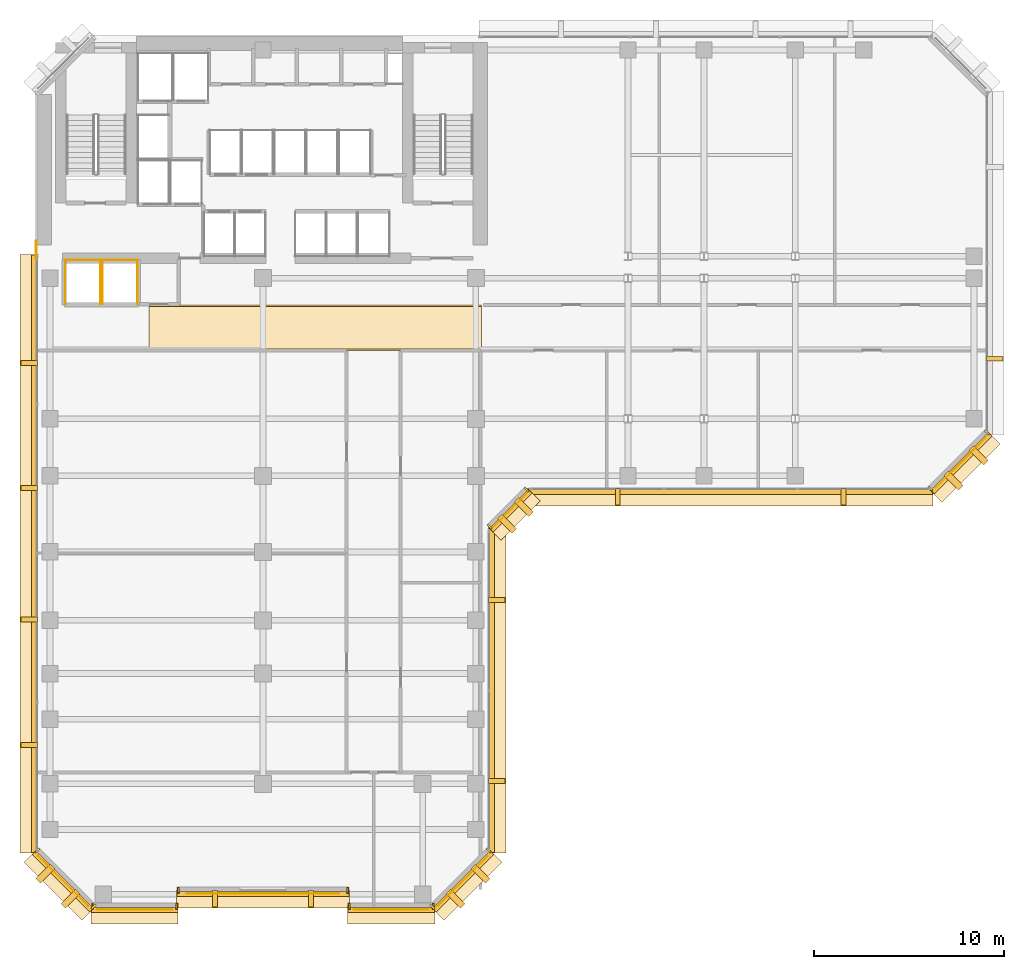
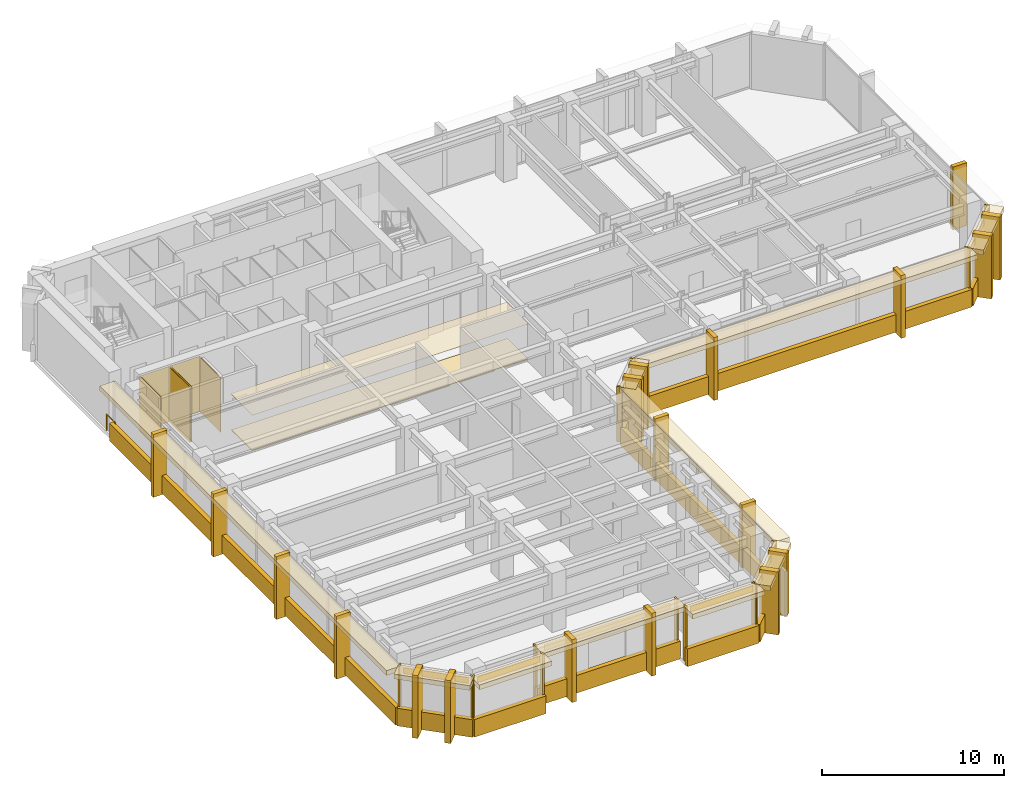
# One storey, part 9 of 12: 68 coverings, 1 railing.
"""IFC4 building model written with IfcOpenShell, lengths in metres."""

from ifc_helpers import new_model, si_unit, direction, frame, origin, origin_2d, place, context, subcontext, project, spatial, polyline, rectangle, circle, outline, extrude, material, layer, layer_set, type_object, element, save


model = new_model("IFC4")

# Units and contexts
model_context = context("Model", 3, precision=1e-05, world=origin(), true_north=direction((0.0, 1.0)))
body_context = subcontext(model_context, "Body", "Model", "MODEL_VIEW")
ifc_project = project(units=[si_unit("LENGTHUNIT", "METRE"), si_unit("AREAUNIT", "SQUARE_METRE"), si_unit("VOLUMEUNIT", "CUBIC_METRE"), si_unit("PLANEANGLEUNIT", "RADIAN"), si_unit("MASSUNIT", "GRAM", prefix="KILO")], contexts=[model_context])

# Site, building, storey
site_placement = place(None, origin())
site = spatial("IfcSite", under=ifc_project, at=site_placement, CompositionType="ELEMENT")
building_placement = place(site_placement, origin())
building = spatial("IfcBuilding", under=site, at=building_placement, Name="Kefirva Bronze Tower", CompositionType="ELEMENT")
storey_placement = place(building_placement, frame((0.0, 0.0, 118.469970703125)))
storey = spatial("IfcBuildingStorey", under=building, at=storey_placement, Name="L28", CompositionType="ELEMENT", Elevation=118.469970703125)

# Coverings
ifc_material_1 = material(Name="Acoustic mineral tile")
ifc_layer_1 = layer(ifc_material_1, 0.02490234375, Name="Acoustic mineral tile")
ifc_layer_set_1 = layer_set([ifc_layer_1], Name="Acoustic mineral tile")
covering_type_1 = type_object("IfcCoveringType", Name="Acoustic Mineral Suspended Ceiling 25mm", PredefinedType="CEILING", material=ifc_layer_set_1)
covering_1_placement = place(storey_placement, frame((0.0, 0.0, 2.400146484375)))
element("IfcCovering", 1, at=covering_1_placement, inside=storey, type_object=covering_type_1, Name="L28 Corridor Acoustic Ceiling", PredefinedType="CEILING", context=body_context, shape_type="SweptSolid", body=[
    extrude(outline(polyline([(6.0, 29.39990234375), (23.5, 29.39990234375), (23.5, 31.800048828125), (6.0, 31.800048828125), (6.0, 29.39990234375)])), origin(), (0.0, 0.0, 1.0), 0.02490234375),
])
ifc_material_2 = material(Name="Bronze anodised aluminium", Category="aluminium")
ifc_layer_2 = layer(ifc_material_2, 0.02001953125, Name="Bronze anodised aluminium")
ifc_layer_set_2 = layer_set([ifc_layer_2], Name="Bronze anodised aluminium")
covering_type_2 = type_object("IfcCoveringType", Name="Anodised Bronze Spandrel Cladding 20mm", PredefinedType="CLADDING", material=ifc_layer_set_2)
covering_2_placement = place(storey_placement, frame((5.25, -0.010009765625, 3.2900390625), z_axis=(0.0, 0.0, 1.0), x_axis=(1.0, 0.0, 0.0)))
element("IfcCovering", 2, at=covering_2_placement, inside=storey, type_object=covering_type_2, Name="L28 Bronze Spandrel Cladding 1", PredefinedType="CLADDING", context=body_context, shape_type="SweptSolid", body=[
    extrude(rectangle(XDim=3.950927734375, YDim=0.02001953125, at=origin_2d()), origin(), (0.0, 0.0, 1.0), 0.39990234375),
])
for number, where, z_axis, x_axis, name in (
    (3, (3.034912109375, 0.159912109375, 0.0), (0.0, 0.0, 1.0), (1.0, 0.0, 0.0), "L28 Facade Joint Closure Panel 1S"),
    (4, (7.465087890625, 0.159912109375, 0.0), (0.0, 0.0, 1.0), (1.0, 0.0, 0.0), "L28 Facade Joint Closure Panel 1E"),
):
    element("IfcCovering", number, at=place(storey_placement, frame(where, z_axis=z_axis, x_axis=x_axis)), inside=storey, type_object=covering_type_2, Name=name, PredefinedType="CLADDING", context=body_context, shape_type="SweptSolid", body=[
        extrude(rectangle(XDim=0.10009765625, YDim=0.320068359375, at=origin_2d()), origin(), (0.0, 0.0, 1.0), 3.7099609375),
    ])
covering_3_placement = place(storey_placement, frame((5.25, -0.0400390625, -0.16015625), z_axis=(0.0, 0.0, 1.0), x_axis=(1.0, 0.0, 0.0)))
element("IfcCovering", 5, at=covering_3_placement, inside=storey, type_object=covering_type_2, Name="L28 Streamline Horizontal Spandrel Band 0", PredefinedType="CLADDING", context=body_context, shape_type="SweptSolid", body=[
    extrude(rectangle(XDim=4.5400390625, YDim=0.280029296875, at=origin_2d()), origin(), (0.0, 0.0, 1.0), 1.179931640625),
])
covering_4_placement = place(storey_placement, frame((12.0, 0.840087890625, 3.2900390625), z_axis=(0.0, 0.0, 1.0), x_axis=(1.0, 0.0, 0.0)))
element("IfcCovering", 6, at=covering_4_placement, inside=storey, type_object=covering_type_2, Name="L28 Bronze Spandrel Cladding 2", PredefinedType="CLADDING", context=body_context, shape_type="SweptSolid", body=[
    extrude(rectangle(XDim=8.0009765625, YDim=0.02001953125, at=origin_2d()), origin(), (0.0, 0.0, 1.0), 0.39990234375),
])
for number, where, z_axis, x_axis, name in (
    (7, (7.534912109375, 1.010009765625, 0.0), (0.0, 0.0, 1.0), (1.0, 0.0, 0.0), "L28 Facade Joint Closure Panel 2S"),
    (8, (16.465087890625, 1.010009765625, 0.0), (0.0, 0.0, 1.0), (1.0, 0.0, 0.0), "L28 Facade Joint Closure Panel 2E"),
):
    element("IfcCovering", number, at=place(storey_placement, frame(where, z_axis=z_axis, x_axis=x_axis)), inside=storey, type_object=covering_type_2, Name=name, PredefinedType="CLADDING", context=body_context, shape_type="SweptSolid", body=[
        extrude(rectangle(XDim=0.10009765625, YDim=0.320068359375, at=origin_2d()), origin(), (0.0, 0.0, 1.0), 3.7099609375),
    ])
covering_5_placement = place(storey_placement, frame((12.0, 0.81005859375, -0.16015625), z_axis=(0.0, 0.0, 1.0), x_axis=(1.0, 0.0, 0.0)))
element("IfcCovering", 9, at=covering_5_placement, inside=storey, type_object=covering_type_2, Name="L28 Streamline Horizontal Spandrel Band 2", PredefinedType="CLADDING", context=body_context, shape_type="SweptSolid", body=[
    extrude(rectangle(XDim=9.0400390625, YDim=0.280029296875, at=origin_2d()), origin(), (0.0, 0.0, 1.0), 1.179931640625),
])
covering_6_placement = place(storey_placement, frame((18.75, -0.010009765625, 3.2900390625), z_axis=(0.0, 0.0, 1.0), x_axis=(1.0, 0.0, 0.0)))
element("IfcCovering", 10, at=covering_6_placement, inside=storey, type_object=covering_type_2, Name="L28 Bronze Spandrel Cladding 3", PredefinedType="CLADDING", context=body_context, shape_type="SweptSolid", body=[
    extrude(rectangle(XDim=3.950927734375, YDim=0.02001953125, at=origin_2d()), origin(), (0.0, 0.0, 1.0), 0.39990234375),
])
for number, where, z_axis, x_axis, name in (
    (11, (16.534912109375, 0.159912109375, 0.0), (0.0, 0.0, 1.0), (1.0, 0.0, 0.0), "L28 Facade Joint Closure Panel 3S"),
    (12, (20.965087890625, 0.159912109375, 0.0), (0.0, 0.0, 1.0), (1.0, 0.0, 0.0), "L28 Facade Joint Closure Panel 3E"),
):
    element("IfcCovering", number, at=place(storey_placement, frame(where, z_axis=z_axis, x_axis=x_axis)), inside=storey, type_object=covering_type_2, Name=name, PredefinedType="CLADDING", context=body_context, shape_type="SweptSolid", body=[
        extrude(rectangle(XDim=0.10009765625, YDim=0.320068359375, at=origin_2d()), origin(), (0.0, 0.0, 1.0), 3.7099609375),
    ])
covering_7_placement = place(storey_placement, frame((18.75, -0.0400390625, -0.16015625), z_axis=(0.0, 0.0, 1.0), x_axis=(1.0, 0.0, 0.0)))
element("IfcCovering", 13, at=covering_7_placement, inside=storey, type_object=covering_type_2, Name="L28 Streamline Horizontal Spandrel Band 4", PredefinedType="CLADDING", context=body_context, shape_type="SweptSolid", body=[
    extrude(rectangle(XDim=4.5400390625, YDim=0.280029296875, at=origin_2d()), origin(), (0.0, 0.0, 1.0), 1.179931640625),
])
covering_8_placement = place(storey_placement, frame((22.507080078125, 1.492919921875, 3.2900390625), z_axis=(0.0, 0.0, 1.0), x_axis=(0.707106781187, 0.707106781187, 0.0)))
element("IfcCovering", 14, at=covering_8_placement, inside=storey, type_object=covering_type_2, Name="L28 Bronze Spandrel Cladding 4", PredefinedType="CLADDING", context=body_context, shape_type="SweptSolid", body=[
    extrude(rectangle(XDim=3.719482421875, YDim=0.02001953125, at=origin_2d()), origin(), (0.0, 0.0, 1.0), 0.39990234375),
])
for number, where, z_axis, x_axis, name in (
    (15, (20.91162109375, 0.137939453125, 0.0), (0.0, 0.0, 1.0), (0.707106781187, 0.707106781187, 0.0), "L28 Facade Joint Closure Panel 4S"),
    (16, (23.862060546875, 3.08837890625, 0.0), (0.0, 0.0, 1.0), (0.707106781187, 0.707106781187, 0.0), "L28 Facade Joint Closure Panel 4E"),
):
    element("IfcCovering", number, at=place(storey_placement, frame(where, z_axis=z_axis, x_axis=x_axis)), inside=storey, type_object=covering_type_2, Name=name, PredefinedType="CLADDING", context=body_context, shape_type="SweptSolid", body=[
        extrude(rectangle(XDim=0.10009765625, YDim=0.320068359375, at=origin_2d()), origin(), (0.0, 0.0, 1.0), 3.7099609375),
    ])
covering_9_placement = place(storey_placement, frame((22.5283203125, 1.4716796875, -0.16015625), z_axis=(0.0, 0.0, 1.0), x_axis=(0.707106781187, 0.707106781187, 0.0)))
element("IfcCovering", 17, at=covering_9_placement, inside=storey, type_object=covering_type_2, Name="L28 Streamline Horizontal Spandrel Band 5", PredefinedType="CLADDING", context=body_context, shape_type="SweptSolid", body=[
    extrude(rectangle(XDim=4.28271484375, YDim=0.280029296875, at=origin_2d()), origin(), (0.0, 0.0, 1.0), 1.179931640625),
])
covering_10_placement = place(storey_placement, frame((24.0400390625, 11.5, -0.16015625), z_axis=(0.0, 0.0, 1.0), x_axis=(0.0, 1.0, 0.0)))
element("IfcCovering", 18, at=covering_10_placement, inside=storey, type_object=covering_type_2, Name="L28 Streamline Horizontal Spandrel Band 6", PredefinedType="CLADDING", context=body_context, shape_type="SweptSolid", body=[
    extrude(rectangle(XDim=17.0400390625, YDim=0.280029296875, at=origin_2d()), origin(), (0.0, 0.0, 1.0), 1.179931640625),
])
covering_11_placement = place(storey_placement, frame((25.007080078125, 20.992919921875, 3.2900390625), z_axis=(0.0, 0.0, 1.0), x_axis=(0.707106781187, 0.707106781187, 0.0)))
element("IfcCovering", 19, at=covering_11_placement, inside=storey, type_object=covering_type_2, Name="L28 Bronze Spandrel Cladding 5", PredefinedType="CLADDING", context=body_context, shape_type="SweptSolid", body=[
    extrude(rectangle(XDim=2.446533203125, YDim=0.02001953125, at=origin_2d()), origin(), (0.0, 0.0, 1.0), 0.39990234375),
])
for number, where, z_axis, x_axis, name in (
    (20, (23.91162109375, 20.137939453125, 0.0), (0.0, 0.0, 1.0), (0.707106781187, 0.707106781187, 0.0), "L28 Facade Joint Closure Panel 5S"),
    (21, (25.862060546875, 22.08837890625, 0.0), (0.0, 0.0, 1.0), (0.707106781187, 0.707106781187, 0.0), "L28 Facade Joint Closure Panel 5E"),
):
    element("IfcCovering", number, at=place(storey_placement, frame(where, z_axis=z_axis, x_axis=x_axis)), inside=storey, type_object=covering_type_2, Name=name, PredefinedType="CLADDING", context=body_context, shape_type="SweptSolid", body=[
        extrude(rectangle(XDim=0.10009765625, YDim=0.320068359375, at=origin_2d()), origin(), (0.0, 0.0, 1.0), 3.7099609375),
    ])
covering_12_placement = place(storey_placement, frame((25.0283203125, 20.9716796875, -0.16015625), z_axis=(0.0, 0.0, 1.0), x_axis=(0.707106781187, 0.707106781187, 0.0)))
element("IfcCovering", 22, at=covering_12_placement, inside=storey, type_object=covering_type_2, Name="L28 Streamline Horizontal Spandrel Band 7", PredefinedType="CLADDING", context=body_context, shape_type="SweptSolid", body=[
    extrude(rectangle(XDim=2.868408203125, YDim=0.280029296875, at=origin_2d()), origin(), (0.0, 0.0, 1.0), 1.179931640625),
])
covering_13_placement = place(storey_placement, frame((36.60009765625, 21.9599609375, -0.16015625), z_axis=(0.0, 0.0, 1.0), x_axis=(1.0, 0.0, 0.0)))
element("IfcCovering", 23, at=covering_13_placement, inside=storey, type_object=covering_type_2, Name="L28 Streamline Horizontal Spandrel Band 8", PredefinedType="CLADDING", context=body_context, shape_type="SweptSolid", body=[
    extrude(rectangle(XDim=21.239990234375, YDim=0.280029296875, at=origin_2d()), origin(), (0.0, 0.0, 1.0), 1.179931640625),
])
covering_14_placement = place(storey_placement, frame((48.70703125, 23.492919921875, 3.2900390625), z_axis=(0.0, 0.0, 1.0), x_axis=(0.707106781187, 0.707106781187, 0.0)))
element("IfcCovering", 24, at=covering_14_placement, inside=storey, type_object=covering_type_2, Name="L28 Bronze Spandrel Cladding 6", PredefinedType="CLADDING", context=body_context, shape_type="SweptSolid", body=[
    extrude(rectangle(XDim=3.719482421875, YDim=0.02001953125, at=origin_2d()), origin(), (0.0, 0.0, 1.0), 0.39990234375),
])
for number, where, z_axis, x_axis, name in (
    (25, (47.11181640625, 22.137939453125, 0.0), (0.0, 0.0, 1.0), (0.707106781187, 0.707106781187, 0.0), "L28 Facade Joint Closure Panel 6S"),
    (26, (50.06201171875, 25.08837890625, 0.0), (0.0, 0.0, 1.0), (0.707106781187, 0.707106781187, 0.0), "L28 Facade Joint Closure Panel 6E"),
):
    element("IfcCovering", number, at=place(storey_placement, frame(where, z_axis=z_axis, x_axis=x_axis)), inside=storey, type_object=covering_type_2, Name=name, PredefinedType="CLADDING", context=body_context, shape_type="SweptSolid", body=[
        extrude(rectangle(XDim=0.10009765625, YDim=0.320068359375, at=origin_2d()), origin(), (0.0, 0.0, 1.0), 3.7099609375),
    ])
covering_15_placement = place(storey_placement, frame((48.728271484375, 23.4716796875, -0.16015625), z_axis=(0.0, 0.0, 1.0), x_axis=(0.707106781187, 0.707106781187, 0.0)))
element("IfcCovering", 27, at=covering_15_placement, inside=storey, type_object=covering_type_2, Name="L28 Streamline Horizontal Spandrel Band 9", PredefinedType="CLADDING", context=body_context, shape_type="SweptSolid", body=[
    extrude(rectangle(XDim=4.28271484375, YDim=0.280029296875, at=origin_2d()), origin(), (0.0, 0.0, 1.0), 1.179931640625),
])
covering_16_placement = place(storey_placement, frame((-0.0400390625, 18.697509765625, -0.16015625), z_axis=(0.0, 0.0, 1.0), x_axis=(0.0, -1.0, 0.0)))
element("IfcCovering", 28, at=covering_16_placement, inside=storey, type_object=covering_type_2, Name="L28 Streamline Horizontal Spandrel Band 14", PredefinedType="CLADDING", context=body_context, shape_type="SweptSolid", body=[
    extrude(rectangle(XDim=31.43505859375, YDim=0.280029296875, at=origin_2d()), origin(), (0.0, 0.0, 1.0), 1.179931640625),
])
covering_17_placement = place(storey_placement, frame((1.492919921875, 1.492919921875, 3.2900390625), z_axis=(0.0, 0.0, 1.0), x_axis=(0.707106781187, -0.707106781187, 0.0)))
element("IfcCovering", 29, at=covering_17_placement, inside=storey, type_object=covering_type_2, Name="L28 Bronze Spandrel Cladding 9", PredefinedType="CLADDING", context=body_context, shape_type="SweptSolid", body=[
    extrude(rectangle(XDim=3.719482421875, YDim=0.02001953125, at=origin_2d()), origin(), (0.0, 0.0, 1.0), 0.39990234375),
])
for number, where, z_axis, x_axis, name in (
    (30, (0.137939453125, 3.08837890625, 0.0), (0.0, 0.0, 1.0), (0.707106781187, -0.707106781187, 0.0), "L28 Facade Joint Closure Panel 9S"),
    (31, (3.08837890625, 0.137939453125, 0.0), (0.0, 0.0, 1.0), (0.707106781187, -0.707106781187, 0.0), "L28 Facade Joint Closure Panel 9E"),
):
    element("IfcCovering", number, at=place(storey_placement, frame(where, z_axis=z_axis, x_axis=x_axis)), inside=storey, type_object=covering_type_2, Name=name, PredefinedType="CLADDING", context=body_context, shape_type="SweptSolid", body=[
        extrude(rectangle(XDim=0.10009765625, YDim=0.320068359375, at=origin_2d()), origin(), (0.0, 0.0, 1.0), 3.7099609375),
    ])
covering_18_placement = place(storey_placement, frame((1.4716796875, 1.4716796875, -0.16015625), z_axis=(0.0, 0.0, 1.0), x_axis=(0.707106781187, -0.707106781187, 0.0)))
element("IfcCovering", 32, at=covering_18_placement, inside=storey, type_object=covering_type_2, Name="L28 Streamline Horizontal Spandrel Band 15", PredefinedType="CLADDING", context=body_context, shape_type="SweptSolid", body=[
    extrude(rectangle(XDim=4.28271484375, YDim=0.280029296875, at=origin_2d()), origin(), (0.0, 0.0, 1.0), 1.179931640625),
])
covering_19_placement = place(storey_placement, origin())
element("IfcCovering", 33, at=covering_19_placement, inside=storey, type_object=covering_type_2, Name="L28 Lift OB1 Hoistway Liner N", PredefinedType="CLADDING", context=body_context, shape_type="SweptSolid", body=[
    extrude(outline(polyline([(1.580078125, 34.139892578125), (3.469970703125, 34.139892578125), (3.469970703125, 34.159912109375), (1.580078125, 34.159912109375), (1.580078125, 34.139892578125)])), origin(), (0.0, 0.0, 1.0), 3.7099609375),
])
covering_20_placement = place(storey_placement, origin())
element("IfcCovering", 34, at=covering_20_placement, inside=storey, type_object=covering_type_2, Name="L28 Lift OB1 Hoistway Liner W", PredefinedType="CLADDING", context=body_context, shape_type="SweptSolid", body=[
    extrude(outline(polyline([(1.590087890625, 31.830078125), (1.610107421875, 31.830078125), (1.610107421875, 34.169921875), (1.590087890625, 34.169921875), (1.590087890625, 31.830078125)])), origin(), (0.0, 0.0, 1.0), 3.7099609375),
])
covering_21_placement = place(storey_placement, origin())
element("IfcCovering", 35, at=covering_21_placement, inside=storey, type_object=covering_type_2, Name="L28 Lift OB1 Hoistway Liner E", PredefinedType="CLADDING", context=body_context, shape_type="SweptSolid", body=[
    extrude(outline(polyline([(3.43994140625, 31.830078125), (3.4599609375, 31.830078125), (3.4599609375, 34.169921875), (3.43994140625, 34.169921875), (3.43994140625, 31.830078125)])), origin(), (0.0, 0.0, 1.0), 3.7099609375),
])
covering_22_placement = place(storey_placement, origin())
element("IfcCovering", 36, at=covering_22_placement, inside=storey, type_object=covering_type_2, Name="L28 Lift OB2 Hoistway Liner N", PredefinedType="CLADDING", context=body_context, shape_type="SweptSolid", body=[
    extrude(outline(polyline([(3.530029296875, 34.139892578125), (5.419921875, 34.139892578125), (5.419921875, 34.159912109375), (3.530029296875, 34.159912109375), (3.530029296875, 34.139892578125)])), origin(), (0.0, 0.0, 1.0), 3.7099609375),
])
covering_23_placement = place(storey_placement, origin())
element("IfcCovering", 37, at=covering_23_placement, inside=storey, type_object=covering_type_2, Name="L28 Lift OB2 Hoistway Liner W", PredefinedType="CLADDING", context=body_context, shape_type="SweptSolid", body=[
    extrude(outline(polyline([(3.5400390625, 31.830078125), (3.56005859375, 31.830078125), (3.56005859375, 34.169921875), (3.5400390625, 34.169921875), (3.5400390625, 31.830078125)])), origin(), (0.0, 0.0, 1.0), 3.7099609375),
])
covering_24_placement = place(storey_placement, origin())
element("IfcCovering", 38, at=covering_24_placement, inside=storey, type_object=covering_type_2, Name="L28 Lift OB2 Hoistway Liner E", PredefinedType="CLADDING", context=body_context, shape_type="SweptSolid", body=[
    extrude(outline(polyline([(5.389892578125, 31.830078125), (5.409912109375, 31.830078125), (5.409912109375, 34.169921875), (5.389892578125, 34.169921875), (5.389892578125, 31.830078125)])), origin(), (0.0, 0.0, 1.0), 3.7099609375),
])

# Railing
ifc_material_3 = material(Name="Stainless steel 316", Category="steel")
railing_type = type_object("IfcRailingType", Name="Interior Stair Guardrail 1100mm", PredefinedType="GUARDRAIL", material=ifc_material_3)
railing_placement = place(storey_placement, frame((0.080078125, 34.199951171875, 0.0)))
element("IfcRailing", 39, at=railing_placement, inside=storey, type_object=railing_type, Name="L28 West Core Junction Guardrail", PredefinedType="GUARDRAIL", context=body_context, shape_type="SweptSolid", body=[
    extrude(circle(Radius=0.02392578125, at=origin_2d()), frame((0.0, 0.0, 1.076171875), z_axis=(0.0, 1.0, 0.0), x_axis=(-1.0, 0.0, 0.0)), (0.0, 0.0, 1.0), 0.949951171875),
    extrude(circle(Radius=0.02099609375, at=origin_2d()), origin(), (0.0, 0.0, 1.0), 1.052001953125),
    extrude(circle(Radius=0.02099609375, at=origin_2d()), frame((0.0, 0.949951171875, 0.0)), (0.0, 0.0, 1.0), 1.052001953125),
])

# Coverings
ifc_material_4 = material(Name="Calcium sulphate access tile")
ifc_layer_3 = layer(ifc_material_4, 0.044921875, Name="Calcium sulphate access tile")
ifc_layer_set_3 = layer_set([ifc_layer_3], Name="Calcium sulphate access tile")
covering_type_3 = type_object("IfcCoveringType", Name="Raised Access Office Flooring 45mm", PredefinedType="FLOORING", material=ifc_layer_set_3)
covering_25_placement = place(storey_placement, origin())
element("IfcCovering", 40, at=covering_25_placement, inside=storey, type_object=covering_type_3, Name="L28 Architectural Finish Flooring", PredefinedType="FLOORING", context=body_context, shape_type="SweptSolid", body=[
    extrude(outline(polyline([(6.0, 29.47998046875), (23.5, 29.47998046875), (23.5, 31.719970703125), (6.0, 31.719970703125), (6.0, 29.47998046875)])), origin(), (0.0, 0.0, 1.0), 0.044921875),
])
ifc_layer_4 = layer(ifc_material_2, 0.179931640625, Name="Bronze anodised aluminium")
ifc_layer_set_4 = layer_set([ifc_layer_4], Name="Bronze anodised aluminium")
covering_type_4 = type_object("IfcCoveringType", Name="Streamline Bronze Sunshade Eyebrow Cladding 180mm", PredefinedType="CLADDING", material=ifc_layer_set_4)
covering_26_placement = place(storey_placement, frame((5.25, -0.31005859375, 3.39013671875), z_axis=(0.0, 0.0, 1.0), x_axis=(1.0, 0.0, 0.0)))
element("IfcCovering", 41, at=covering_26_placement, inside=storey, type_object=covering_type_4, Name="L28 Streamline Bronze Sunshade Eyebrow 0", PredefinedType="CLADDING", context=body_context, shape_type="SweptSolid", body=[
    extrude(rectangle(XDim=4.580078125, YDim=0.93994140625, at=origin_2d()), origin(), (0.0, 0.0, 1.0), 0.320068359375),
])
covering_27_placement = place(storey_placement, frame((12.0, 0.5400390625, 3.39013671875), z_axis=(0.0, 0.0, 1.0), x_axis=(1.0, 0.0, 0.0)))
element("IfcCovering", 42, at=covering_27_placement, inside=storey, type_object=covering_type_4, Name="L28 Streamline Bronze Sunshade Eyebrow 2", PredefinedType="CLADDING", context=body_context, shape_type="SweptSolid", body=[
    extrude(rectangle(XDim=9.080078125, YDim=0.93994140625, at=origin_2d()), origin(), (0.0, 0.0, 1.0), 0.320068359375),
])
covering_28_placement = place(storey_placement, frame((18.75, -0.31005859375, 3.39013671875), z_axis=(0.0, 0.0, 1.0), x_axis=(1.0, 0.0, 0.0)))
element("IfcCovering", 43, at=covering_28_placement, inside=storey, type_object=covering_type_4, Name="L28 Streamline Bronze Sunshade Eyebrow 4", PredefinedType="CLADDING", context=body_context, shape_type="SweptSolid", body=[
    extrude(rectangle(XDim=4.580078125, YDim=0.93994140625, at=origin_2d()), origin(), (0.0, 0.0, 1.0), 0.320068359375),
])
covering_29_placement = place(storey_placement, frame((22.71923828125, 1.28076171875, 3.39013671875), z_axis=(0.0, 0.0, 1.0), x_axis=(0.707106781187, 0.707106781187, 0.0)))
element("IfcCovering", 44, at=covering_29_placement, inside=storey, type_object=covering_type_4, Name="L28 Streamline Bronze Sunshade Eyebrow 5", PredefinedType="CLADDING", context=body_context, shape_type="SweptSolid", body=[
    extrude(rectangle(XDim=4.322509765625, YDim=0.93994140625, at=origin_2d()), origin(), (0.0, 0.0, 1.0), 0.320068359375),
])
covering_30_placement = place(storey_placement, frame((24.31005859375, 11.5, 3.39013671875), z_axis=(0.0, 0.0, 1.0), x_axis=(0.0, 1.0, 0.0)))
element("IfcCovering", 45, at=covering_30_placement, inside=storey, type_object=covering_type_4, Name="L28 Streamline Bronze Sunshade Eyebrow 6", PredefinedType="CLADDING", context=body_context, shape_type="SweptSolid", body=[
    extrude(rectangle(XDim=17.080078125, YDim=0.93994140625, at=origin_2d()), origin(), (0.0, 0.0, 1.0), 0.320068359375),
])
covering_31_placement = place(storey_placement, frame((25.21923828125, 20.78076171875, 3.39013671875), z_axis=(0.0, 0.0, 1.0), x_axis=(0.707106781187, 0.707106781187, 0.0)))
element("IfcCovering", 46, at=covering_31_placement, inside=storey, type_object=covering_type_4, Name="L28 Streamline Bronze Sunshade Eyebrow 7", PredefinedType="CLADDING", context=body_context, shape_type="SweptSolid", body=[
    extrude(rectangle(XDim=2.908447265625, YDim=0.93994140625, at=origin_2d()), origin(), (0.0, 0.0, 1.0), 0.320068359375),
])
covering_32_placement = place(storey_placement, frame((36.60009765625, 21.68994140625, 3.39013671875), z_axis=(0.0, 0.0, 1.0), x_axis=(1.0, 0.0, 0.0)))
element("IfcCovering", 47, at=covering_32_placement, inside=storey, type_object=covering_type_4, Name="L28 Streamline Bronze Sunshade Eyebrow 8", PredefinedType="CLADDING", context=body_context, shape_type="SweptSolid", body=[
    extrude(rectangle(XDim=21.280029296875, YDim=0.93994140625, at=origin_2d()), origin(), (0.0, 0.0, 1.0), 0.320068359375),
])
covering_33_placement = place(storey_placement, frame((48.919189453125, 23.28076171875, 3.39013671875), z_axis=(0.0, 0.0, 1.0), x_axis=(0.707106781187, 0.707106781187, 0.0)))
element("IfcCovering", 48, at=covering_33_placement, inside=storey, type_object=covering_type_4, Name="L28 Streamline Bronze Sunshade Eyebrow 9", PredefinedType="CLADDING", context=body_context, shape_type="SweptSolid", body=[
    extrude(rectangle(XDim=4.322509765625, YDim=0.93994140625, at=origin_2d()), origin(), (0.0, 0.0, 1.0), 0.320068359375),
])
covering_34_placement = place(storey_placement, frame((-0.31005859375, 18.697509765625, 3.39013671875), z_axis=(0.0, 0.0, 1.0), x_axis=(0.0, -1.0, 0.0)))
element("IfcCovering", 49, at=covering_34_placement, inside=storey, type_object=covering_type_4, Name="L28 Streamline Bronze Sunshade Eyebrow 14", PredefinedType="CLADDING", context=body_context, shape_type="SweptSolid", body=[
    extrude(rectangle(XDim=31.47509765625, YDim=0.93994140625, at=origin_2d()), origin(), (0.0, 0.0, 1.0), 0.320068359375),
])
covering_35_placement = place(storey_placement, frame((1.28076171875, 1.28076171875, 3.39013671875), z_axis=(0.0, 0.0, 1.0), x_axis=(0.707106781187, -0.707106781187, 0.0)))
element("IfcCovering", 50, at=covering_35_placement, inside=storey, type_object=covering_type_4, Name="L28 Streamline Bronze Sunshade Eyebrow 15", PredefinedType="CLADDING", context=body_context, shape_type="SweptSolid", body=[
    extrude(rectangle(XDim=4.322509765625, YDim=0.93994140625, at=origin_2d()), origin(), (0.0, 0.0, 1.0), 0.320068359375),
])
ifc_layer_5 = layer(ifc_material_2, 0.260009765625, Name="Bronze anodised aluminium")
ifc_layer_set_5 = layer_set([ifc_layer_5], Name="Bronze anodised aluminium")
covering_type_5 = type_object("IfcCoveringType", Name="Unbroken Bronze Buttress Fin Cladding 260mm", PredefinedType="CLADDING", material=ifc_layer_set_5)
for number, where, z_axis, x_axis, name in (
    (51, (9.47998046875, 0.550048828125, -0.25), (0.0, 0.0, 1.0), (1.0, 0.0, 0.0), "L28 Unbroken Vertical Bronze Rib Fin 1"),
    (52, (14.52001953125, 0.550048828125, -0.25), (0.0, 0.0, 1.0), (1.0, 0.0, 0.0), "L28 Unbroken Vertical Bronze Rib Fin 2"),
):
    element("IfcCovering", number, at=place(storey_placement, frame(where, z_axis=z_axis, x_axis=x_axis)), inside=storey, type_object=covering_type_5, Name=name, PredefinedType="CLADDING", context=body_context, shape_type="SweptSolid", body=[
        extrude(rectangle(XDim=0.260009765625, YDim=0.8798828125, at=origin_2d()), origin(), (0.0, 0.0, 1.0), 4.2099609375),
    ])
for number, where, z_axis, x_axis, name in (
    (53, (22.122802734375, 0.55712890625, -0.25), (0.0, 0.0, 1.0), (0.707106781187, 0.707106781187, 0.0), "L28 Chamfered Corner Buttress Fin Cladding 3"),
    (54, (23.44287109375, 1.877197265625, -0.25), (0.0, 0.0, 1.0), (0.707106781187, 0.707106781187, 0.0), "L28 Chamfered Corner Buttress Fin Cladding 4"),
):
    element("IfcCovering", number, at=place(storey_placement, frame(where, z_axis=z_axis, x_axis=x_axis)), inside=storey, type_object=covering_type_5, Name=name, PredefinedType="CLADDING", context=body_context, shape_type="SweptSolid", body=[
        extrude(rectangle(XDim=0.340087890625, YDim=1.080078125, at=origin_2d()), origin(), (0.0, 0.0, 1.0), 4.2099609375),
    ])
for number, where, z_axis, x_axis, name in (
    (55, (24.300048828125, 6.739990234375, -0.25), (0.0, 0.0, 1.0), (0.0, 1.0, 0.0), "L28 Unbroken Vertical Bronze Rib Fin 5"),
    (56, (24.300048828125, 16.260009765625, -0.25), (0.0, 0.0, 1.0), (0.0, 1.0, 0.0), "L28 Unbroken Vertical Bronze Rib Fin 6"),
):
    element("IfcCovering", number, at=place(storey_placement, frame(where, z_axis=z_axis, x_axis=x_axis)), inside=storey, type_object=covering_type_5, Name=name, PredefinedType="CLADDING", context=body_context, shape_type="SweptSolid", body=[
        extrude(rectangle(XDim=0.260009765625, YDim=0.8798828125, at=origin_2d()), origin(), (0.0, 0.0, 1.0), 4.2099609375),
    ])
for number, where, z_axis, x_axis, name in (
    (57, (24.8427734375, 20.277099609375, -0.25), (0.0, 0.0, 1.0), (0.707106781187, 0.707106781187, 0.0), "L28 Chamfered Corner Buttress Fin Cladding 7"),
    (58, (25.722900390625, 21.1572265625, -0.25), (0.0, 0.0, 1.0), (0.707106781187, 0.707106781187, 0.0), "L28 Chamfered Corner Buttress Fin Cladding 8"),
):
    element("IfcCovering", number, at=place(storey_placement, frame(where, z_axis=z_axis, x_axis=x_axis)), inside=storey, type_object=covering_type_5, Name=name, PredefinedType="CLADDING", context=body_context, shape_type="SweptSolid", body=[
        extrude(rectangle(XDim=0.340087890625, YDim=1.080078125, at=origin_2d()), origin(), (0.0, 0.0, 1.0), 4.2099609375),
    ])
for number, where, z_axis, x_axis, name in (
    (59, (30.6640625, 21.699951171875, -0.25), (0.0, 0.0, 1.0), (1.0, 0.0, 0.0), "L28 Unbroken Vertical Bronze Rib Fin 9"),
    (60, (42.535888671875, 21.699951171875, -0.25), (0.0, 0.0, 1.0), (1.0, 0.0, 0.0), "L28 Unbroken Vertical Bronze Rib Fin 10"),
):
    element("IfcCovering", number, at=place(storey_placement, frame(where, z_axis=z_axis, x_axis=x_axis)), inside=storey, type_object=covering_type_5, Name=name, PredefinedType="CLADDING", context=body_context, shape_type="SweptSolid", body=[
        extrude(rectangle(XDim=0.260009765625, YDim=0.8798828125, at=origin_2d()), origin(), (0.0, 0.0, 1.0), 4.2099609375),
    ])
for number, where, z_axis, x_axis, name in (
    (61, (48.32275390625, 22.55712890625, -0.25), (0.0, 0.0, 1.0), (0.707106781187, 0.707106781187, 0.0), "L28 Chamfered Corner Buttress Fin Cladding 11"),
    (62, (49.642822265625, 23.877197265625, -0.25), (0.0, 0.0, 1.0), (0.707106781187, 0.707106781187, 0.0), "L28 Chamfered Corner Buttress Fin Cladding 12"),
):
    element("IfcCovering", number, at=place(storey_placement, frame(where, z_axis=z_axis, x_axis=x_axis)), inside=storey, type_object=covering_type_5, Name=name, PredefinedType="CLADDING", context=body_context, shape_type="SweptSolid", body=[
        extrude(rectangle(XDim=0.340087890625, YDim=1.080078125, at=origin_2d()), origin(), (0.0, 0.0, 1.0), 4.2099609375),
    ])
for number, where, z_axis, x_axis, name in (
    (63, (50.5, 28.9599609375, -0.25), (0.0, 0.0, 1.0), (0.0, 1.0, 0.0), "L28 Unbroken Vertical Bronze Rib Fin 13"),
    (64, (-0.300048828125, 28.743896484375, -0.25), (0.0, 0.0, 1.0), (0.0, -1.0, 0.0), "L28 Unbroken Vertical Bronze Rib Fin 23"),
    (65, (-0.300048828125, 22.15087890625, -0.25), (0.0, 0.0, 1.0), (0.0, -1.0, 0.0), "L28 Unbroken Vertical Bronze Rib Fin 24"),
    (66, (-0.300048828125, 15.244140625, -0.25), (0.0, 0.0, 1.0), (0.0, -1.0, 0.0), "L28 Unbroken Vertical Bronze Rib Fin 25"),
    (67, (-0.300048828125, 8.651123046875, -0.25), (0.0, 0.0, 1.0), (0.0, -1.0, 0.0), "L28 Unbroken Vertical Bronze Rib Fin 26"),
):
    element("IfcCovering", number, at=place(storey_placement, frame(where, z_axis=z_axis, x_axis=x_axis)), inside=storey, type_object=covering_type_5, Name=name, PredefinedType="CLADDING", context=body_context, shape_type="SweptSolid", body=[
        extrude(rectangle(XDim=0.260009765625, YDim=0.8798828125, at=origin_2d()), origin(), (0.0, 0.0, 1.0), 4.2099609375),
    ])
for number, where, z_axis, x_axis, name in (
    (68, (0.55712890625, 1.877197265625, -0.25), (0.0, 0.0, 1.0), (0.707106781187, -0.707106781187, 0.0), "L28 Chamfered Corner Buttress Fin Cladding 27"),
    (69, (1.877197265625, 0.55712890625, -0.25), (0.0, 0.0, 1.0), (0.707106781187, -0.707106781187, 0.0), "L28 Chamfered Corner Buttress Fin Cladding 28"),
):
    element("IfcCovering", number, at=place(storey_placement, frame(where, z_axis=z_axis, x_axis=x_axis)), inside=storey, type_object=covering_type_5, Name=name, PredefinedType="CLADDING", context=body_context, shape_type="SweptSolid", body=[
        extrude(rectangle(XDim=0.340087890625, YDim=1.080078125, at=origin_2d()), origin(), (0.0, 0.0, 1.0), 4.2099609375),
    ])

save(model, "model.ifc")
